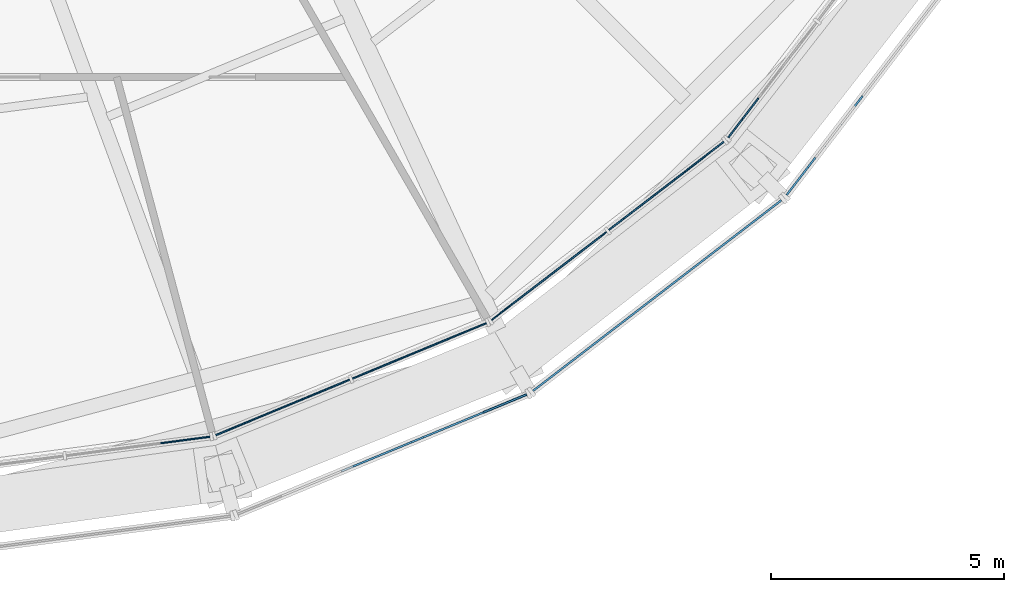
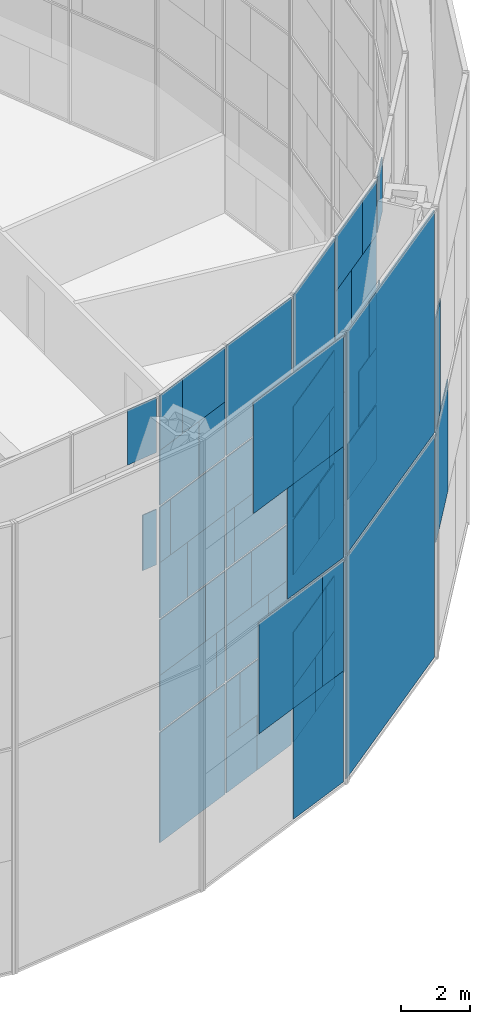
# One storey, part 18 of 29: 63 plates, 7 elements without a shape of their own.
"""IFC4 building model written with IfcOpenShell, lengths in metres."""

from ifc_helpers import new_model, si_unit, direction, frame, origin, origin_2d, place, context, subcontext, project, spatial, rectangle, extrude, material, layer, layer_set, type_object, element, aggregate, save


model = new_model("IFC4")

# Units and contexts
model_context = context("Model", 3, precision=1e-05, world=origin(), true_north=direction((0.0, 1.0)))
body_context = subcontext(model_context, "Body", "Model", "MODEL_VIEW")
ifc_project = project(units=[si_unit("LENGTHUNIT", "METRE"), si_unit("AREAUNIT", "SQUARE_METRE"), si_unit("VOLUMEUNIT", "CUBIC_METRE"), si_unit("PLANEANGLEUNIT", "RADIAN"), si_unit("MASSUNIT", "GRAM", prefix="KILO")], contexts=[model_context])

# Site, building, storey
site_placement = place(None, origin())
site = spatial("IfcSite", under=ifc_project, at=site_placement, CompositionType="ELEMENT")
building_placement = place(site_placement, origin())
building = spatial("IfcBuilding", under=site, at=building_placement, Name="Golbaran Civic Tower", CompositionType="ELEMENT")
storey_placement = place(building_placement, frame((0.0, 0.0, 118.0)))
storey = spatial("IfcBuildingStorey", under=building, at=storey_placement, Name="L28", CompositionType="ELEMENT", Elevation=118.0)

# Curtain wall, plate
ifc_material_1 = material(Name="Aluminium and glass", Category="aluminium")
curtain_wall_type_1 = type_object("IfcCurtainWallType", Name="INNER SKIN CURTAIN WALL", PredefinedType="NOTDEFINED", material=ifc_material_1)
curtain_wall_1_placement = place(storey_placement, origin())
curtain_wall_1 = element("IfcCurtainWall", 1, at=curtain_wall_1_placement, inside=storey, type_object=curtain_wall_type_1, Name="Inner skin L28 facet 19 CW1", ObjectType="INNER SKIN", PredefinedType="USERDEFINED")
ifc_material_2 = material(Name="Clear insulating glass", Category="glass")
ifc_layer_1 = layer(ifc_material_2, 0.031982421875, Name="Clear insulating glass")
ifc_layer_set_1 = layer_set([ifc_layer_1], Name="Clear insulating glass")
plate_type_1 = type_object("IfcPlateType", Name="INNER SKIN CURTAIN WALL GLAZED PANEL", PredefinedType="CURTAIN_PANEL", material=ifc_layer_set_1)
plate_1_placement = place(storey_placement, frame((6.03271484375, -23.73974609375, 10.0), z_axis=(0.0, 0.0, 1.0), x_axis=(0.991444861372, 0.130526192237, 0.0)))
plate_1 = element("IfcPlate", 2, at=plate_1_placement, type_object=plate_type_1, Name="CW1 panel 2.3 part 4", PredefinedType="CURTAIN_PANEL", context=body_context, shape_type="SweptSolid", body=[
    extrude(rectangle(XDim=0.509765625, YDim=0.031982421875, at=origin_2d()), origin(), (0.0, 0.0, 1.0), 1.967529296875),
])

# Curtain wall, plates
curtain_wall_2_placement = place(storey_placement, origin())
curtain_wall_2 = element("IfcCurtainWall", 3, at=curtain_wall_2_placement, inside=storey, type_object=curtain_wall_type_1, Name="Inner skin L28 facet 20 CW1", ObjectType="INNER SKIN", PredefinedType="USERDEFINED")
plate_2_placement = place(storey_placement, frame((7.84423828125, -23.0791015625, 0.06494140625), z_axis=(0.0, 0.0, 1.0), x_axis=(0.923879532485, 0.38268343243, 0.0)))
plate_2 = element("IfcPlate", 4, at=plate_2_placement, type_object=plate_type_1, Name="CW1 panel 1.1", PredefinedType="CURTAIN_PANEL", context=body_context, shape_type="SweptSolid", body=[
    extrude(rectangle(XDim=3.104736328125, YDim=0.031982421875, at=origin_2d()), origin(), (0.0, 0.0, 1.0), 3.902587890625),
])
plate_3_placement = place(storey_placement, frame((7.658447265625, -23.156005859375, 4.03271484375), z_axis=(0.0, 0.0, 1.0), x_axis=(0.923879532485, 0.38268343243, 0.0)))
plate_3 = element("IfcPlate", 5, at=plate_3_placement, type_object=plate_type_1, Name="CW1 panel 1.2 part 1", PredefinedType="CURTAIN_PANEL", context=body_context, shape_type="SweptSolid", body=[
    extrude(rectangle(XDim=2.702880859375, YDim=0.031982421875, at=origin_2d()), origin(), (0.0, 0.0, 1.0), 1.967529296875),
])
plate_4_placement = place(storey_placement, frame((7.410400390625, -23.2587890625, 6.0), z_axis=(0.0, 0.0, 1.0), x_axis=(0.923879532485, 0.38268343243, 0.0)))
plate_4 = element("IfcPlate", 6, at=plate_4_placement, type_object=plate_type_1, Name="CW1 panel 1.2 part 3", PredefinedType="CURTAIN_PANEL", context=body_context, shape_type="SweptSolid", body=[
    extrude(rectangle(XDim=2.166015625, YDim=0.031982421875, at=origin_2d()), origin(), (0.0, 0.0, 1.0), 1.967529296875),
])
plate_5_placement = place(storey_placement, frame((7.02197265625, -23.419677734375, 8.03271484375), z_axis=(0.0, 0.0, 1.0), x_axis=(0.923879532485, 0.38268343243, 0.0)))
plate_5 = element("IfcPlate", 7, at=plate_5_placement, type_object=plate_type_1, Name="CW1 panel 1.3 part 1", PredefinedType="CURTAIN_PANEL", context=body_context, shape_type="SweptSolid", body=[
    extrude(rectangle(XDim=1.324951171875, YDim=0.031982421875, at=origin_2d()), origin(), (0.0, 0.0, 1.0), 1.967529296875),
])
plate_6_placement = place(storey_placement, frame((6.6455078125, -23.57568359375, 10.0), z_axis=(0.0, 0.0, 1.0), x_axis=(0.923879532485, 0.38268343243, 0.0)))
plate_6 = element("IfcPlate", 8, at=plate_6_placement, type_object=plate_type_1, Name="CW1 panel 1.3 part 3", PredefinedType="CURTAIN_PANEL", context=body_context, shape_type="SweptSolid", body=[
    extrude(rectangle(XDim=0.510009765625, YDim=0.031982421875, at=origin_2d()), origin(), (0.0, 0.0, 1.0), 1.967529296875),
])
plate_7_placement = place(storey_placement, frame((8.70947265625, -22.720703125, 12.032470703125), z_axis=(0.0, 0.0, 1.0), x_axis=(0.923879532485, 0.38268343243, 0.0)))
plate_7 = element("IfcPlate", 9, at=plate_7_placement, type_object=plate_type_1, Name="CW1 panel 1.4 part 2", PredefinedType="CURTAIN_PANEL", context=body_context, shape_type="SweptSolid", body=[
    extrude(rectangle(XDim=1.23193359375, YDim=0.031982421875, at=origin_2d()), origin(), (0.0, 0.0, 1.0), 1.951171875),
])
plate_8_placement = place(storey_placement, frame((8.336181640625, -22.875244140625, 13.98388671875), z_axis=(0.0, 0.0, 1.0), x_axis=(0.923879532485, 0.38268343243, 0.0)))
plate_8 = element("IfcPlate", 10, at=plate_8_placement, type_object=plate_type_1, Name="CW1 panel 1.4 part 4", PredefinedType="CURTAIN_PANEL", context=body_context, shape_type="SweptSolid", body=[
    extrude(rectangle(XDim=2.039794921875, YDim=0.031982421875, at=origin_2d()), origin(), (0.0, 0.0, 1.0), 1.951171875),
])
plate_9_placement = place(storey_placement, frame((10.012451171875, -22.180908203125, 0.06494140625), z_axis=(0.0, 0.0, 1.0), x_axis=(0.923879532485, 0.38268343243, 0.0)))
plate_9 = element("IfcPlate", 11, at=plate_9_placement, type_object=plate_type_1, Name="CW1 panel 2.1 part 1", PredefinedType="CURTAIN_PANEL", context=body_context, shape_type="SweptSolid", body=[
    extrude(rectangle(XDim=1.458984375, YDim=0.031982421875, at=origin_2d()), origin(), (0.0, 0.0, 1.0), 1.951171875),
])
plate_10_placement = place(storey_placement, frame((9.63916015625, -22.33544921875, 2.016357421875), z_axis=(0.0, 0.0, 1.0), x_axis=(0.923879532485, 0.38268343243, 0.0)))
plate_10 = element("IfcPlate", 12, at=plate_10_placement, type_object=plate_type_1, Name="CW1 panel 2.1 part 3", PredefinedType="CURTAIN_PANEL", context=body_context, shape_type="SweptSolid", body=[
    extrude(rectangle(XDim=0.65087890625, YDim=0.031982421875, at=origin_2d()), origin(), (0.0, 0.0, 1.0), 1.951171875),
])
plate_11_placement = place(storey_placement, frame((11.703125, -21.480712890625, 4.03271484375), z_axis=(0.0, 0.0, 1.0), x_axis=(0.923879532485, 0.38268343243, 0.0)))
plate_11 = element("IfcPlate", 13, at=plate_11_placement, type_object=plate_type_1, Name="CW1 panel 2.2 part 2", PredefinedType="CURTAIN_PANEL", context=body_context, shape_type="SweptSolid", body=[
    extrude(rectangle(XDim=1.0908203125, YDim=0.031982421875, at=origin_2d()), origin(), (0.0, 0.0, 1.0), 1.967529296875),
])
plate_12_placement = place(storey_placement, frame((11.32666015625, -21.63671875, 6.0), z_axis=(0.0, 0.0, 1.0), x_axis=(0.923879532485, 0.38268343243, 0.0)))
plate_12 = element("IfcPlate", 14, at=plate_12_placement, type_object=plate_type_1, Name="CW1 panel 2.2 part 4", PredefinedType="CURTAIN_PANEL", context=body_context, shape_type="SweptSolid", body=[
    extrude(rectangle(XDim=1.90576171875, YDim=0.031982421875, at=origin_2d()), origin(), (0.0, 0.0, 1.0), 1.967529296875),
])
plate_13_placement = place(storey_placement, frame((10.95751953125, -21.78955078125, 8.03271484375), z_axis=(0.0, 0.0, 1.0), x_axis=(0.923879532485, 0.38268343243, 0.0)))
plate_13 = element("IfcPlate", 15, at=plate_13_placement, type_object=plate_type_1, Name="CW1 panel 2.3 part 2", PredefinedType="CURTAIN_PANEL", context=body_context, shape_type="SweptSolid", body=[
    extrude(rectangle(XDim=2.704833984375, YDim=0.031982421875, at=origin_2d()), origin(), (0.0, 0.0, 1.0), 1.967529296875),
])
plate_14_placement = place(storey_placement, frame((10.772705078125, -21.865966796875, 10.0), z_axis=(0.0, 0.0, 1.0), x_axis=(0.923879532485, 0.38268343243, 0.0)))
plate_14 = element("IfcPlate", 16, at=plate_14_placement, type_object=plate_type_1, Name="CW1 panel 2.3 part 3", PredefinedType="CURTAIN_PANEL", context=body_context, shape_type="SweptSolid", body=[
    extrude(rectangle(XDim=3.104736328125, YDim=0.031982421875, at=origin_2d()), origin(), (0.0, 0.0, 1.0), 1.967529296875),
])
plate_15_placement = place(storey_placement, frame((10.772705078125, -21.865966796875, 12.0322265625), z_axis=(0.0, 0.0, 1.0), x_axis=(0.923879532485, 0.38268343243, 0.0)))
plate_15 = element("IfcPlate", 17, at=plate_15_placement, type_object=plate_type_1, Name="CW1 panel 2.4", PredefinedType="CURTAIN_PANEL", context=body_context, shape_type="SweptSolid", body=[
    extrude(rectangle(XDim=3.104736328125, YDim=0.031982421875, at=origin_2d()), origin(), (0.0, 0.0, 1.0), 3.902587890625),
])

curtain_wall_3_placement = place(storey_placement, origin())
curtain_wall_3 = element("IfcCurtainWall", 18, at=curtain_wall_3_placement, inside=storey, type_object=curtain_wall_type_1, Name="Inner skin L28 facet 21 CW1", ObjectType="INNER SKIN", PredefinedType="USERDEFINED")
plate_16_placement = place(storey_placement, frame((14.203125, -19.761474609375, 0.06494140625), z_axis=(0.0, 0.0, 1.0), x_axis=(0.793353340376, 0.608761428898, 0.0)))
plate_16 = element("IfcPlate", 19, at=plate_16_placement, type_object=plate_type_1, Name="CW1 panel 1.1 part 2", PredefinedType="CURTAIN_PANEL", context=body_context, shape_type="SweptSolid", body=[
    extrude(rectangle(XDim=1.458740234375, YDim=0.031982421875, at=origin_2d()), origin(), (0.0, 0.0, 1.0), 1.951171875),
])
plate_17_placement = place(storey_placement, frame((14.523193359375, -19.515869140625, 2.016357421875), z_axis=(0.0, 0.0, 1.0), x_axis=(0.793353340376, 0.608761428898, 0.0)))
plate_17 = element("IfcPlate", 20, at=plate_17_placement, type_object=plate_type_1, Name="CW1 panel 1.1 part 4", PredefinedType="CURTAIN_PANEL", context=body_context, shape_type="SweptSolid", body=[
    extrude(rectangle(XDim=0.65185546875, YDim=0.031982421875, at=origin_2d()), origin(), (0.0, 0.0, 1.0), 1.951171875),
])
plate_18_placement = place(storey_placement, frame((12.751220703125, -20.87548828125, 4.03271484375), z_axis=(0.0, 0.0, 1.0), x_axis=(0.793353340376, 0.608761428898, 0.0)))
plate_18 = element("IfcPlate", 21, at=plate_18_placement, type_object=plate_type_1, Name="CW1 panel 1.2 part 1", PredefinedType="CURTAIN_PANEL", context=body_context, shape_type="SweptSolid", body=[
    extrude(rectangle(XDim=1.091064453125, YDim=0.031982421875, at=origin_2d()), origin(), (0.0, 0.0, 1.0), 1.967529296875),
])
plate_19_placement = place(storey_placement, frame((13.07421875, -20.627685546875, 6.0), z_axis=(0.0, 0.0, 1.0), x_axis=(0.793353340376, 0.608761428898, 0.0)))
plate_19 = element("IfcPlate", 22, at=plate_19_placement, type_object=plate_type_1, Name="CW1 panel 1.2 part 3", PredefinedType="CURTAIN_PANEL", context=body_context, shape_type="SweptSolid", body=[
    extrude(rectangle(XDim=1.905029296875, YDim=0.031982421875, at=origin_2d()), origin(), (0.0, 0.0, 1.0), 1.967529296875),
])
plate_20_placement = place(storey_placement, frame((13.390869140625, -20.384765625, 8.03271484375), z_axis=(0.0, 0.0, 1.0), x_axis=(0.793353340376, 0.608761428898, 0.0)))
plate_20 = element("IfcPlate", 23, at=plate_20_placement, type_object=plate_type_1, Name="CW1 panel 1.3 part 1", PredefinedType="CURTAIN_PANEL", context=body_context, shape_type="SweptSolid", body=[
    extrude(rectangle(XDim=2.702880859375, YDim=0.031982421875, at=origin_2d()), origin(), (0.0, 0.0, 1.0), 1.967529296875),
])
plate_21_placement = place(storey_placement, frame((13.55029296875, -20.262451171875, 10.0), z_axis=(0.0, 0.0, 1.0), x_axis=(0.793353340376, 0.608761428898, 0.0)))
plate_21 = element("IfcPlate", 24, at=plate_21_placement, type_object=plate_type_1, Name="CW1 panel 1.3 part 3", PredefinedType="CURTAIN_PANEL", context=body_context, shape_type="SweptSolid", body=[
    extrude(rectangle(XDim=3.104736328125, YDim=0.031982421875, at=origin_2d()), origin(), (0.0, 0.0, 1.0), 1.967529296875),
])
plate_22_placement = place(storey_placement, frame((13.55029296875, -20.262451171875, 12.0322265625), z_axis=(0.0, 0.0, 1.0), x_axis=(0.793353340376, 0.608761428898, 0.0)))
plate_22 = element("IfcPlate", 25, at=plate_22_placement, type_object=plate_type_1, Name="CW1 panel 1.4", PredefinedType="CURTAIN_PANEL", context=body_context, shape_type="SweptSolid", body=[
    extrude(rectangle(XDim=3.104736328125, YDim=0.031982421875, at=origin_2d()), origin(), (0.0, 0.0, 1.0), 3.902587890625),
])
plate_23_placement = place(storey_placement, frame((16.06494140625, -18.332763671875, 0.06494140625), z_axis=(0.0, 0.0, 1.0), x_axis=(0.793353340376, 0.608761428898, 0.0)))
plate_23 = element("IfcPlate", 26, at=plate_23_placement, type_object=plate_type_1, Name="CW1 panel 2.1", PredefinedType="CURTAIN_PANEL", context=body_context, shape_type="SweptSolid", body=[
    extrude(rectangle(XDim=3.104736328125, YDim=0.031982421875, at=origin_2d()), origin(), (0.0, 0.0, 1.0), 3.902587890625),
])
plate_24_placement = place(storey_placement, frame((16.22412109375, -18.210693359375, 4.03271484375), z_axis=(0.0, 0.0, 1.0), x_axis=(0.793353340376, 0.608761428898, 0.0)))
plate_24 = element("IfcPlate", 27, at=plate_24_placement, type_object=plate_type_1, Name="CW1 panel 2.2 part 2", PredefinedType="CURTAIN_PANEL", context=body_context, shape_type="SweptSolid", body=[
    extrude(rectangle(XDim=2.703857421875, YDim=0.031982421875, at=origin_2d()), origin(), (0.0, 0.0, 1.0), 1.967529296875),
])
plate_25_placement = place(storey_placement, frame((16.4375, -18.046875, 6.0), z_axis=(0.0, 0.0, 1.0), x_axis=(0.793353340376, 0.608761428898, 0.0)))
plate_25 = element("IfcPlate", 28, at=plate_25_placement, type_object=plate_type_1, Name="CW1 panel 2.2 part 4", PredefinedType="CURTAIN_PANEL", context=body_context, shape_type="SweptSolid", body=[
    extrude(rectangle(XDim=2.165771484375, YDim=0.031982421875, at=origin_2d()), origin(), (0.0, 0.0, 1.0), 1.967529296875),
])
plate_26_placement = place(storey_placement, frame((16.77099609375, -17.791015625, 8.03271484375), z_axis=(0.0, 0.0, 1.0), x_axis=(0.793353340376, 0.608761428898, 0.0)))
plate_26 = element("IfcPlate", 29, at=plate_26_placement, type_object=plate_type_1, Name="CW1 panel 2.3 part 2", PredefinedType="CURTAIN_PANEL", context=body_context, shape_type="SweptSolid", body=[
    extrude(rectangle(XDim=1.324951171875, YDim=0.031982421875, at=origin_2d()), origin(), (0.0, 0.0, 1.0), 1.967529296875),
])
plate_27_placement = place(storey_placement, frame((17.09423828125, -17.54296875, 10.0), z_axis=(0.0, 0.0, 1.0), x_axis=(0.793353340376, 0.608761428898, 0.0)))
plate_27 = element("IfcPlate", 30, at=plate_27_placement, type_object=plate_type_1, Name="CW1 panel 2.3 part 4", PredefinedType="CURTAIN_PANEL", context=body_context, shape_type="SweptSolid", body=[
    extrude(rectangle(XDim=0.509765625, YDim=0.031982421875, at=origin_2d()), origin(), (0.0, 0.0, 1.0), 1.967529296875),
])
plate_28_placement = place(storey_placement, frame((15.322021484375, -18.90283203125, 12.032470703125), z_axis=(0.0, 0.0, 1.0), x_axis=(0.793353340376, 0.608761428898, 0.0)))
plate_28 = element("IfcPlate", 31, at=plate_28_placement, type_object=plate_type_1, Name="CW1 panel 2.4 part 1", PredefinedType="CURTAIN_PANEL", context=body_context, shape_type="SweptSolid", body=[
    extrude(rectangle(XDim=1.23193359375, YDim=0.031982421875, at=origin_2d()), origin(), (0.0, 0.0, 1.0), 1.951171875),
])
plate_29_placement = place(storey_placement, frame((15.642578125, -18.656982421875, 13.98388671875), z_axis=(0.0, 0.0, 1.0), x_axis=(0.793353340376, 0.608761428898, 0.0)))
plate_29 = element("IfcPlate", 32, at=plate_29_placement, type_object=plate_type_1, Name="CW1 panel 2.4 part 3", PredefinedType="CURTAIN_PANEL", context=body_context, shape_type="SweptSolid", body=[
    extrude(rectangle(XDim=2.0400390625, YDim=0.031982421875, at=origin_2d()), origin(), (0.0, 0.0, 1.0), 1.951171875),
])

# Curtain wall, plate
curtain_wall_4_placement = place(storey_placement, origin())
curtain_wall_4 = element("IfcCurtainWall", 33, at=curtain_wall_4_placement, inside=storey, type_object=curtain_wall_type_1, Name="Inner skin L28 facet 22 CW1", ObjectType="INNER SKIN", PredefinedType="USERDEFINED")
plate_30_placement = place(storey_placement, frame((17.54296875, -17.09423828125, 10.0), z_axis=(0.0, 0.0, 1.0), x_axis=(0.608761428898, 0.793353340376, 0.0)))
plate_30 = element("IfcPlate", 34, at=plate_30_placement, type_object=plate_type_1, Name="CW1 panel 1.3 part 3", PredefinedType="CURTAIN_PANEL", context=body_context, shape_type="SweptSolid", body=[
    extrude(rectangle(XDim=0.510009765625, YDim=0.031982421875, at=origin_2d()), origin(), (0.0, 0.0, 1.0), 1.967529296875),
])

# Plate
ifc_material_3 = material(Name="Aluminium faced opaque infill panel", Category="aluminium")
ifc_layer_2 = layer(ifc_material_3, 0.031982421875, Name="Aluminium faced opaque infill panel")
ifc_layer_set_2 = layer_set([ifc_layer_2], Name="Aluminium faced opaque infill panel")
plate_type_2 = type_object("IfcPlateType", Name="INNER SKIN CURTAIN WALL OPAQUE INFILL PANEL", PredefinedType="CURTAIN_PANEL", material=ifc_layer_set_2)
plate_31_placement = place(storey_placement, frame((5.757568359375, -23.776123046875, 13.98388671875), z_axis=(0.0, 0.0, 1.0), x_axis=(0.991444861372, 0.130526192237, 0.0)))
plate_31 = element("IfcPlate", 35, at=plate_31_placement, type_object=plate_type_2, Name="CW1 infill panel 2.4 part 4", PredefinedType="CURTAIN_PANEL", context=body_context, shape_type="SweptSolid", body=[
    extrude(rectangle(XDim=1.06494140625, YDim=0.031982421875, at=origin_2d()), origin(), (0.0, 0.0, 1.0), 1.951171875),
])

aggregate(curtain_wall_1, [plate_1, plate_31])

plate_32_placement = place(storey_placement, frame((9.0927734375, -22.561767578125, 4.03271484375), z_axis=(0.0, 0.0, 1.0), x_axis=(0.923879532485, 0.38268343243, 0.0)))
plate_32 = element("IfcPlate", 36, at=plate_32_placement, type_object=plate_type_2, Name="CW1 infill panel 1.2 part 2", PredefinedType="CURTAIN_PANEL", context=body_context, shape_type="SweptSolid", body=[
    extrude(rectangle(XDim=0.40185546875, YDim=0.031982421875, at=origin_2d()), origin(), (0.0, 0.0, 1.0), 1.967529296875),
])

plate_33_placement = place(storey_placement, frame((8.8447265625, -22.66455078125, 6.0), z_axis=(0.0, 0.0, 1.0), x_axis=(0.923879532485, 0.38268343243, 0.0)))
plate_33 = element("IfcPlate", 37, at=plate_33_placement, type_object=plate_type_2, Name="CW1 infill panel 1.2 part 4", PredefinedType="CURTAIN_PANEL", context=body_context, shape_type="SweptSolid", body=[
    extrude(rectangle(XDim=0.938720703125, YDim=0.031982421875, at=origin_2d()), origin(), (0.0, 0.0, 1.0), 1.967529296875),
])

plate_34_placement = place(storey_placement, frame((8.456298828125, -22.825439453125, 8.03271484375), z_axis=(0.0, 0.0, 1.0), x_axis=(0.923879532485, 0.38268343243, 0.0)))
plate_34 = element("IfcPlate", 38, at=plate_34_placement, type_object=plate_type_2, Name="CW1 infill panel 1.3 part 2", PredefinedType="CURTAIN_PANEL", context=body_context, shape_type="SweptSolid", body=[
    extrude(rectangle(XDim=1.77978515625, YDim=0.031982421875, at=origin_2d()), origin(), (0.0, 0.0, 1.0), 1.967529296875),
])

plate_35_placement = place(storey_placement, frame((8.079833984375, -22.9814453125, 10.0), z_axis=(0.0, 0.0, 1.0), x_axis=(0.923879532485, 0.38268343243, 0.0)))
plate_35 = element("IfcPlate", 39, at=plate_35_placement, type_object=plate_type_2, Name="CW1 infill panel 1.3 part 4", PredefinedType="CURTAIN_PANEL", context=body_context, shape_type="SweptSolid", body=[
    extrude(rectangle(XDim=2.5947265625, YDim=0.031982421875, at=origin_2d()), origin(), (0.0, 0.0, 1.0), 1.967529296875),
])

plate_36_placement = place(storey_placement, frame((7.275146484375, -23.314697265625, 12.032470703125), z_axis=(0.0, 0.0, 1.0), x_axis=(0.923879532485, 0.38268343243, 0.0)))
plate_36 = element("IfcPlate", 40, at=plate_36_placement, type_object=plate_type_2, Name="CW1 infill panel 1.4 part 1", PredefinedType="CURTAIN_PANEL", context=body_context, shape_type="SweptSolid", body=[
    extrude(rectangle(XDim=1.873046875, YDim=0.031982421875, at=origin_2d()), origin(), (0.0, 0.0, 1.0), 1.951171875),
])

plate_37_placement = place(storey_placement, frame((6.90185546875, -23.469482421875, 13.98388671875), z_axis=(0.0, 0.0, 1.0), x_axis=(0.923879532485, 0.38268343243, 0.0)))
plate_37 = element("IfcPlate", 41, at=plate_37_placement, type_object=plate_type_2, Name="CW1 infill panel 1.4 part 3", PredefinedType="CURTAIN_PANEL", context=body_context, shape_type="SweptSolid", body=[
    extrude(rectangle(XDim=1.06494140625, YDim=0.031982421875, at=origin_2d()), origin(), (0.0, 0.0, 1.0), 1.951171875),
])

plate_38_placement = place(storey_placement, frame((11.44677734375, -21.5869140625, 0.06494140625), z_axis=(0.0, 0.0, 1.0), x_axis=(0.923879532485, 0.38268343243, 0.0)))
plate_38 = element("IfcPlate", 42, at=plate_38_placement, type_object=plate_type_2, Name="CW1 infill panel 2.1 part 2", PredefinedType="CURTAIN_PANEL", context=body_context, shape_type="SweptSolid", body=[
    extrude(rectangle(XDim=1.645751953125, YDim=0.031982421875, at=origin_2d()), origin(), (0.0, 0.0, 1.0), 1.951171875),
])

plate_39_placement = place(storey_placement, frame((11.073486328125, -21.741455078125, 2.016357421875), z_axis=(0.0, 0.0, 1.0), x_axis=(0.923879532485, 0.38268343243, 0.0)))
plate_39 = element("IfcPlate", 43, at=plate_39_placement, type_object=plate_type_2, Name="CW1 infill panel 2.1 part 4", PredefinedType="CURTAIN_PANEL", context=body_context, shape_type="SweptSolid", body=[
    extrude(rectangle(XDim=2.453857421875, YDim=0.031982421875, at=origin_2d()), origin(), (0.0, 0.0, 1.0), 1.951171875),
])

plate_40_placement = place(storey_placement, frame((10.268798828125, -22.07470703125, 4.03271484375), z_axis=(0.0, 0.0, 1.0), x_axis=(0.923879532485, 0.38268343243, 0.0)))
plate_40 = element("IfcPlate", 44, at=plate_40_placement, type_object=plate_type_2, Name="CW1 infill panel 2.2 part 1", PredefinedType="CURTAIN_PANEL", context=body_context, shape_type="SweptSolid", body=[
    extrude(rectangle(XDim=2.013916015625, YDim=0.031982421875, at=origin_2d()), origin(), (0.0, 0.0, 1.0), 1.967529296875),
])

plate_41_placement = place(storey_placement, frame((9.892333984375, -22.230712890625, 6.0), z_axis=(0.0, 0.0, 1.0), x_axis=(0.923879532485, 0.38268343243, 0.0)))
plate_41 = element("IfcPlate", 45, at=plate_41_placement, type_object=plate_type_2, Name="CW1 infill panel 2.2 part 3", PredefinedType="CURTAIN_PANEL", context=body_context, shape_type="SweptSolid", body=[
    extrude(rectangle(XDim=1.198974609375, YDim=0.031982421875, at=origin_2d()), origin(), (0.0, 0.0, 1.0), 1.967529296875),
])

plate_42_placement = place(storey_placement, frame((9.523193359375, -22.383544921875, 8.03271484375), z_axis=(0.0, 0.0, 1.0), x_axis=(0.923879532485, 0.38268343243, 0.0)))
plate_42 = element("IfcPlate", 46, at=plate_42_placement, type_object=plate_type_2, Name="CW1 infill panel 2.3 part 1", PredefinedType="CURTAIN_PANEL", context=body_context, shape_type="SweptSolid", body=[
    extrude(rectangle(XDim=0.39990234375, YDim=0.031982421875, at=origin_2d()), origin(), (0.0, 0.0, 1.0), 1.967529296875),
])

aggregate(curtain_wall_2, [plate_2, plate_3, plate_32, plate_4, plate_33, plate_5, plate_34, plate_6, plate_35, plate_36, plate_7, plate_37, plate_8, plate_9, plate_38, plate_10, plate_39, plate_40, plate_11, plate_41, plate_12, plate_42, plate_13, plate_14, plate_15])

plate_43_placement = place(storey_placement, frame((12.971435546875, -20.70654296875, 0.06494140625), z_axis=(0.0, 0.0, 1.0), x_axis=(0.793353340376, 0.608761428898, 0.0)))
plate_43 = element("IfcPlate", 47, at=plate_43_placement, type_object=plate_type_2, Name="CW1 infill panel 1.1 part 1", PredefinedType="CURTAIN_PANEL", context=body_context, shape_type="SweptSolid", body=[
    extrude(rectangle(XDim=1.64599609375, YDim=0.031982421875, at=origin_2d()), origin(), (0.0, 0.0, 1.0), 1.951171875),
])

plate_44_placement = place(storey_placement, frame((13.29150390625, -20.4609375, 2.016357421875), z_axis=(0.0, 0.0, 1.0), x_axis=(0.793353340376, 0.608761428898, 0.0)))
plate_44 = element("IfcPlate", 48, at=plate_44_placement, type_object=plate_type_2, Name="CW1 infill panel 1.1 part 3", PredefinedType="CURTAIN_PANEL", context=body_context, shape_type="SweptSolid", body=[
    extrude(rectangle(XDim=2.452880859375, YDim=0.031982421875, at=origin_2d()), origin(), (0.0, 0.0, 1.0), 1.951171875),
])

plate_45_placement = place(storey_placement, frame((13.98291015625, -19.930419921875, 4.03271484375), z_axis=(0.0, 0.0, 1.0), x_axis=(0.793353340376, 0.608761428898, 0.0)))
plate_45 = element("IfcPlate", 49, at=plate_45_placement, type_object=plate_type_2, Name="CW1 infill panel 1.2 part 2", PredefinedType="CURTAIN_PANEL", context=body_context, shape_type="SweptSolid", body=[
    extrude(rectangle(XDim=2.013916015625, YDim=0.031982421875, at=origin_2d()), origin(), (0.0, 0.0, 1.0), 1.967529296875),
])

plate_46_placement = place(storey_placement, frame((14.305908203125, -19.6826171875, 6.0), z_axis=(0.0, 0.0, 1.0), x_axis=(0.793353340376, 0.608761428898, 0.0)))
plate_46 = element("IfcPlate", 50, at=plate_46_placement, type_object=plate_type_2, Name="CW1 infill panel 1.2 part 4", PredefinedType="CURTAIN_PANEL", context=body_context, shape_type="SweptSolid", body=[
    extrude(rectangle(XDim=1.199951171875, YDim=0.031982421875, at=origin_2d()), origin(), (0.0, 0.0, 1.0), 1.967529296875),
])

plate_47_placement = place(storey_placement, frame((14.622314453125, -19.439697265625, 8.03271484375), z_axis=(0.0, 0.0, 1.0), x_axis=(0.793353340376, 0.608761428898, 0.0)))
plate_47 = element("IfcPlate", 51, at=plate_47_placement, type_object=plate_type_2, Name="CW1 infill panel 1.3 part 2", PredefinedType="CURTAIN_PANEL", context=body_context, shape_type="SweptSolid", body=[
    extrude(rectangle(XDim=0.40185546875, YDim=0.031982421875, at=origin_2d()), origin(), (0.0, 0.0, 1.0), 1.967529296875),
])

plate_48_placement = place(storey_placement, frame((14.992431640625, -19.15576171875, 4.03271484375), z_axis=(0.0, 0.0, 1.0), x_axis=(0.793353340376, 0.608761428898, 0.0)))
plate_48 = element("IfcPlate", 52, at=plate_48_placement, type_object=plate_type_2, Name="CW1 infill panel 2.2 part 1", PredefinedType="CURTAIN_PANEL", context=body_context, shape_type="SweptSolid", body=[
    extrude(rectangle(XDim=0.40087890625, YDim=0.031982421875, at=origin_2d()), origin(), (0.0, 0.0, 1.0), 1.967529296875),
])

plate_49_placement = place(storey_placement, frame((15.205810546875, -18.991943359375, 6.0), z_axis=(0.0, 0.0, 1.0), x_axis=(0.793353340376, 0.608761428898, 0.0)))
plate_49 = element("IfcPlate", 53, at=plate_49_placement, type_object=plate_type_2, Name="CW1 infill panel 2.2 part 3", PredefinedType="CURTAIN_PANEL", context=body_context, shape_type="SweptSolid", body=[
    extrude(rectangle(XDim=0.93896484375, YDim=0.031982421875, at=origin_2d()), origin(), (0.0, 0.0, 1.0), 1.967529296875),
])

plate_50_placement = place(storey_placement, frame((15.53955078125, -18.736083984375, 8.03271484375), z_axis=(0.0, 0.0, 1.0), x_axis=(0.793353340376, 0.608761428898, 0.0)))
plate_50 = element("IfcPlate", 54, at=plate_50_placement, type_object=plate_type_2, Name="CW1 infill panel 2.3 part 1", PredefinedType="CURTAIN_PANEL", context=body_context, shape_type="SweptSolid", body=[
    extrude(rectangle(XDim=1.780029296875, YDim=0.031982421875, at=origin_2d()), origin(), (0.0, 0.0, 1.0), 1.967529296875),
])

plate_51_placement = place(storey_placement, frame((15.86279296875, -18.488037109375, 10.0), z_axis=(0.0, 0.0, 1.0), x_axis=(0.793353340376, 0.608761428898, 0.0)))
plate_51 = element("IfcPlate", 55, at=plate_51_placement, type_object=plate_type_2, Name="CW1 infill panel 2.3 part 3", PredefinedType="CURTAIN_PANEL", context=body_context, shape_type="SweptSolid", body=[
    extrude(rectangle(XDim=2.594970703125, YDim=0.031982421875, at=origin_2d()), origin(), (0.0, 0.0, 1.0), 1.967529296875),
])

plate_52_placement = place(storey_placement, frame((16.5537109375, -17.957763671875, 12.032470703125), z_axis=(0.0, 0.0, 1.0), x_axis=(0.793353340376, 0.608761428898, 0.0)))
plate_52 = element("IfcPlate", 56, at=plate_52_placement, type_object=plate_type_2, Name="CW1 infill panel 2.4 part 2", PredefinedType="CURTAIN_PANEL", context=body_context, shape_type="SweptSolid", body=[
    extrude(rectangle(XDim=1.872802734375, YDim=0.031982421875, at=origin_2d()), origin(), (0.0, 0.0, 1.0), 1.951171875),
])

plate_53_placement = place(storey_placement, frame((16.874267578125, -17.7119140625, 13.98388671875), z_axis=(0.0, 0.0, 1.0), x_axis=(0.793353340376, 0.608761428898, 0.0)))
plate_53 = element("IfcPlate", 57, at=plate_53_placement, type_object=plate_type_2, Name="CW1 infill panel 2.4 part 4", PredefinedType="CURTAIN_PANEL", context=body_context, shape_type="SweptSolid", body=[
    extrude(rectangle(XDim=1.06494140625, YDim=0.031982421875, at=origin_2d()), origin(), (0.0, 0.0, 1.0), 1.951171875),
])

aggregate(curtain_wall_3, [plate_43, plate_16, plate_44, plate_17, plate_18, plate_45, plate_19, plate_46, plate_20, plate_47, plate_21, plate_22, plate_23, plate_48, plate_24, plate_49, plate_25, plate_50, plate_26, plate_51, plate_27, plate_28, plate_52, plate_29, plate_53])

plate_54_placement = place(storey_placement, frame((17.7119140625, -16.8740234375, 13.98388671875), z_axis=(0.0, 0.0, 1.0), x_axis=(0.608761428898, 0.793353340376, 0.0)))
plate_54 = element("IfcPlate", 58, at=plate_54_placement, type_object=plate_type_2, Name="CW1 infill panel 1.4 part 3", PredefinedType="CURTAIN_PANEL", context=body_context, shape_type="SweptSolid", body=[
    extrude(rectangle(XDim=1.06494140625, YDim=0.031982421875, at=origin_2d()), origin(), (0.0, 0.0, 1.0), 1.951171875),
])

aggregate(curtain_wall_4, [plate_30, plate_54])

# Curtain wall, plates
curtain_wall_type_2 = type_object("IfcCurtainWallType", Name="OUTER SKIN TERRACOTTA SCREEN", PredefinedType="NOTDEFINED", material=ifc_material_1)
curtain_wall_5_placement = place(storey_placement, origin())
curtain_wall_5 = element("IfcCurtainWall", 59, at=curtain_wall_5_placement, inside=storey, type_object=curtain_wall_type_2, Name="Outer skin L28 facet 20 CW3", ObjectType="OUTER SKIN", PredefinedType="USERDEFINED")
ifc_material_4 = material(Name="Clear laminated glass", Category="glass")
ifc_layer_3 = layer(ifc_material_4, 0.0400390625, Name="Clear laminated glass")
ifc_layer_set_3 = layer_set([ifc_layer_3], Name="Clear laminated glass")
plate_type_3 = type_object("IfcPlateType", Name="OUTER SKIN CLEAR GLASS PANEL", PredefinedType="CURTAIN_PANEL", material=ifc_layer_set_3)
plate_55_placement = place(storey_placement, frame((12.607421875, -22.99365234375, 3.31005859375), z_axis=(0.0, 0.0, 1.0), x_axis=(0.923879532505, 0.382683432381, 0.0)))
plate_55 = element("IfcPlate", 60, at=plate_55_placement, type_object=plate_type_3, Name="CW3 panel 1.1 part 5", PredefinedType="CURTAIN_PANEL", context=body_context, shape_type="SweptSolid", body=[
    extrude(rectangle(XDim=1.0068359375, YDim=0.0400390625, at=origin_2d()), origin(), (0.0, 0.0, 1.0), 3.93994140625),
])
plate_56_placement = place(storey_placement, frame((11.8388671875, -23.31201171875, 7.330078125), z_axis=(0.0, 0.0, 1.0), x_axis=(0.923879532505, 0.382683432381, 0.0)))
plate_56 = element("IfcPlate", 61, at=plate_56_placement, type_object=plate_type_3, Name="CW3 panel 1.2 part 3", PredefinedType="CURTAIN_PANEL", context=body_context, shape_type="SweptSolid", body=[
    extrude(rectangle(XDim=2.6708984375, YDim=0.0400390625, at=origin_2d()), origin(), (0.0, 0.0, 1.0), 3.93994140625),
])
plate_57_placement = place(storey_placement, frame((11.0859375, -23.6240234375, 11.27001953125), z_axis=(0.0, 0.0, 1.0), x_axis=(0.923879532505, 0.382683432381, 0.0)))
plate_57 = element("IfcPlate", 62, at=plate_57_placement, type_object=plate_type_3, Name="CW3 panel 1.2 part 5", PredefinedType="CURTAIN_PANEL", context=body_context, shape_type="SweptSolid", body=[
    extrude(rectangle(XDim=4.30078125, YDim=0.0400390625, at=origin_2d()), origin(), (0.0, 0.0, 1.0), 3.93994140625),
])

curtain_wall_6_placement = place(storey_placement, origin())
curtain_wall_6 = element("IfcCurtainWall", 63, at=curtain_wall_6_placement, inside=storey, type_object=curtain_wall_type_2, Name="Outer skin L28 facet 22 CW3", ObjectType="OUTER SKIN", PredefinedType="USERDEFINED")
plate_58_placement = place(storey_placement, frame((19.45556640625, -17.466552734375, 3.31005859375), z_axis=(0.0, 0.0, 1.0), x_axis=(0.608761428995, 0.793353340302, 0.0)))
plate_58 = element("IfcPlate", 64, at=plate_58_placement, type_object=plate_type_3, Name="CW3 panel 1.1 part 3", PredefinedType="CURTAIN_PANEL", context=body_context, shape_type="SweptSolid", body=[
    extrude(rectangle(XDim=2.677001953125, YDim=0.0400390625, at=origin_2d()), origin(), (0.0, 0.0, 1.0), 3.93994140625),
])
plate_59_placement = place(storey_placement, frame((18.94921875, -18.126220703125, 7.330078125), z_axis=(0.0, 0.0, 1.0), x_axis=(0.608761428995, 0.793353340302, 0.0)))
plate_59 = element("IfcPlate", 65, at=plate_59_placement, type_object=plate_type_3, Name="CW3 panel 1.2 part 1", PredefinedType="CURTAIN_PANEL", context=body_context, shape_type="SweptSolid", body=[
    extrude(rectangle(XDim=1.013916015625, YDim=0.0400390625, at=origin_2d()), origin(), (0.0, 0.0, 1.0), 3.93994140625),
])
aggregate(curtain_wall_6, [plate_58, plate_59])

# Plate
ifc_material_5 = material(Name="Terracotta baguette screen", Category="masonry")
ifc_layer_4 = layer(ifc_material_5, 0.0400390625, Name="Terracotta baguette screen")
ifc_layer_set_4 = layer_set([ifc_layer_4], Name="Terracotta baguette screen")
plate_type_4 = type_object("IfcPlateType", Name="OUTER SKIN TERRACOTTA INFILL PANEL", PredefinedType="CURTAIN_PANEL", material=ifc_layer_set_4)
plate_60_placement = place(storey_placement, frame((11.9658203125, -23.259521484375, -0.6298828125), z_axis=(0.0, 0.0, 1.0), x_axis=(0.923879532505, 0.382683432381, 0.0)))
plate_60 = element("IfcPlate", 66, at=plate_60_placement, type_object=plate_type_4, Name="CW3 infill panel 1.1 part 2", PredefinedType="CURTAIN_PANEL", context=body_context, shape_type="SweptSolid", body=[
    extrude(rectangle(XDim=2.395751953125, YDim=0.0400390625, at=origin_2d()), origin(), (0.0, 0.0, 1.0), 3.93994140625),
])

plate_61_placement = place(storey_placement, frame((10.747314453125, -23.76416015625, 3.31005859375), z_axis=(0.0, 0.0, 1.0), x_axis=(0.923879532505, 0.382683432381, 0.0)))
plate_61 = element("IfcPlate", 67, at=plate_61_placement, type_object=plate_type_4, Name="CW3 infill panel 1.1 part 4", PredefinedType="CURTAIN_PANEL", context=body_context, shape_type="SweptSolid", body=[
    extrude(rectangle(XDim=3.02001953125, YDim=0.0400390625, at=origin_2d()), origin(), (0.0, 0.0, 1.0), 3.93994140625),
])

aggregate(curtain_wall_5, [plate_60, plate_61, plate_55, plate_56, plate_57])

# Curtain wall, plates
curtain_wall_7_placement = place(storey_placement, origin())
curtain_wall_7 = element("IfcCurtainWall", 68, at=curtain_wall_7_placement, inside=storey, type_object=curtain_wall_type_2, Name="Outer skin L28 facet 21 CW3", ObjectType="OUTER SKIN", PredefinedType="USERDEFINED")
ifc_layer_5 = layer(ifc_material_5, 0.0400390625, Name="Terracotta baguette screen")
ifc_layer_set_5 = layer_set([ifc_layer_5], Name="Terracotta baguette screen")
plate_type_5 = type_object("IfcPlateType", Name="OUTER SKIN TERRACOTTA SCREEN PANEL", PredefinedType="CURTAIN_PANEL", material=ifc_layer_set_5)
plate_62_placement = place(storey_placement, frame((15.869140625, -20.68115234375, -0.6298828125), z_axis=(0.0, 0.0, 1.0), x_axis=(0.793353340302, 0.608761428995, 0.0)))
plate_62 = element("IfcPlate", 69, at=plate_62_placement, type_object=plate_type_5, Name="CW3 terracotta screen panel 1.1", PredefinedType="CURTAIN_PANEL", context=body_context, shape_type="SweptSolid", body=[
    extrude(rectangle(XDim=6.703857421875, YDim=0.0400390625, at=origin_2d()), origin(), (0.0, 0.0, 1.0), 7.8798828125),
])
plate_63_placement = place(storey_placement, frame((15.869140625, -20.68115234375, 7.330078125), z_axis=(0.0, 0.0, 1.0), x_axis=(0.793353340302, 0.608761428995, 0.0)))
plate_63 = element("IfcPlate", 70, at=plate_63_placement, type_object=plate_type_5, Name="CW3 terracotta screen panel 1.2", PredefinedType="CURTAIN_PANEL", context=body_context, shape_type="SweptSolid", body=[
    extrude(rectangle(XDim=6.703857421875, YDim=0.0400390625, at=origin_2d()), origin(), (0.0, 0.0, 1.0), 7.8798828125),
])
aggregate(curtain_wall_7, [plate_62, plate_63])

save(model, "model.ifc")
